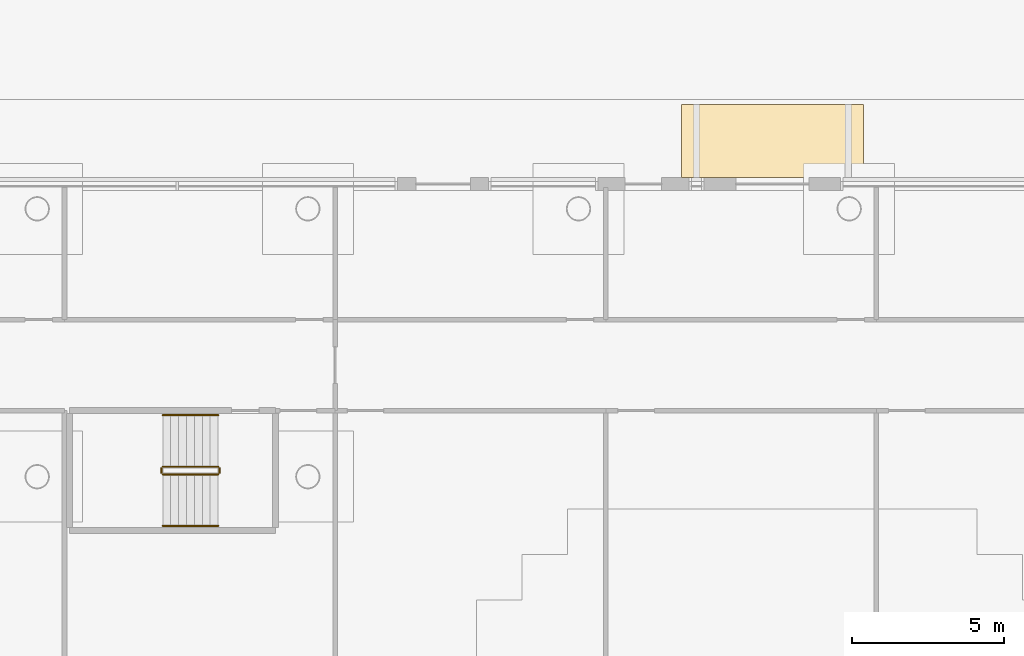
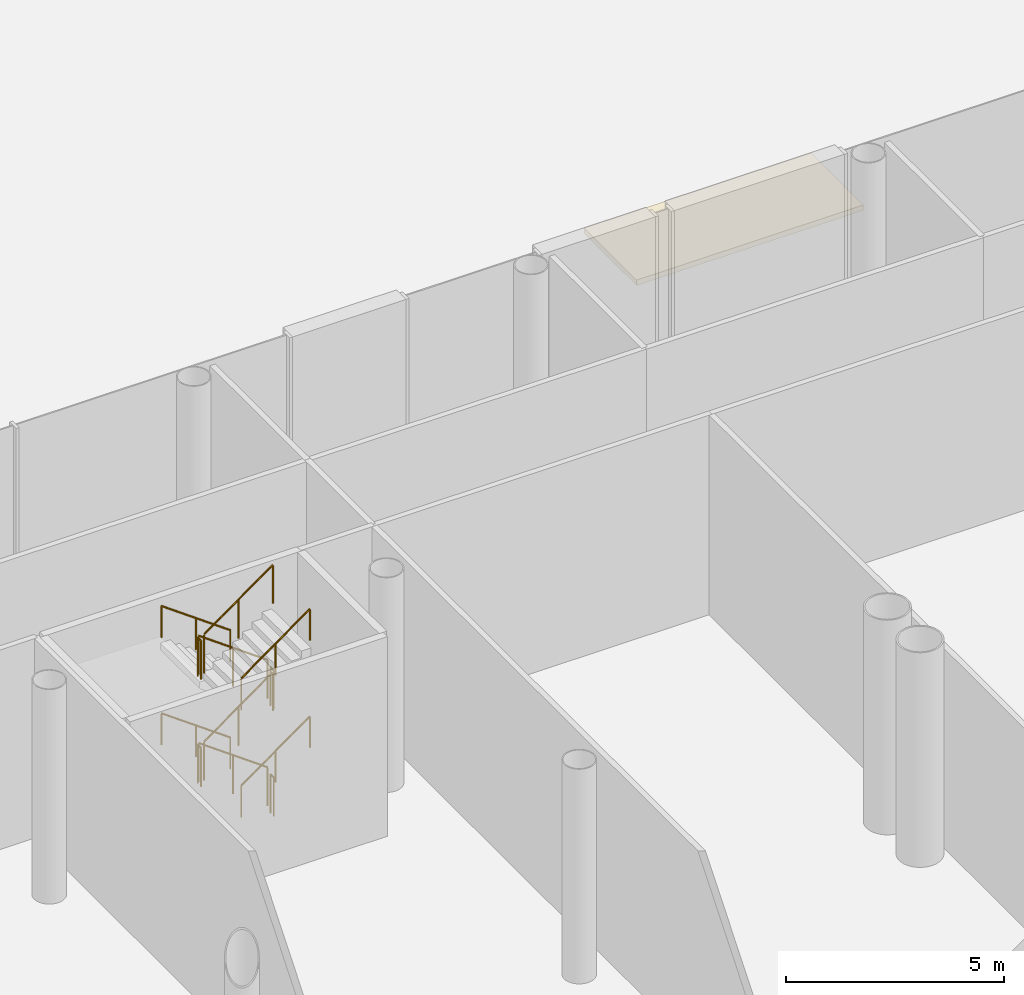
# One storey, part 70 of 75: 12 railings, 1 covering.
"""IFC4 building model written with IfcOpenShell, lengths in metres."""

import ifcopenshell
import ifcopenshell.guid

model = None  # the IFC model being written
_history = None  # IfcOwnerHistory: only IFC2X3 demands one
_inside = {}  # id of a spatial element -> (the spatial element, [elements in it])
_under = {}  # id of a project, library or spatial element -> (it, [spatial elements below it])
_declared = {}  # id of a project -> (the project, [libraries it declares])
_typed = {}  # id of a type object -> (the type object, [elements of that type])
_made_of = {}  # id of a material, layer set ... -> (it, [elements and type objects made of it])


def new_model(schema):
    """Start an empty IFC model of exactly this schema.

    Asked for "IFC4X3", IfcOpenShell would pick the latest addendum, in which some entities
    have other attributes; the version numbers below select the first issue.
    IFC2X3 requires an IfcOwnerHistory on every rooted entity: one is made here for all.
    """
    global model, _history
    if schema == "IFC4X3":
        model = ifcopenshell.file(schema_version=(4, 3, 0, 0))
    else:
        model = ifcopenshell.file(schema=schema)
    _inside.clear()
    _under.clear()
    _declared.clear()
    _typed.clear()
    _made_of.clear()
    _history = None
    if model.schema == "IFC2X3":
        org = make("IfcOrganization", Name="unknown")
        user = make(
            "IfcPersonAndOrganization",
            ThePerson=make("IfcPerson", FamilyName="unknown"),
            TheOrganization=org,
        )
        app = make(
            "IfcApplication",
            ApplicationDeveloper=org,
            Version="unknown",
            ApplicationFullName="unknown",
            ApplicationIdentifier="unknown",
        )
        _history = make(
            "IfcOwnerHistory",
            OwningUser=user,
            OwningApplication=app,
            ChangeAction="ADDED",
            CreationDate=0,
        )
    return model


def make(cls, **values):
    """One entity of the class cls with the attributes given. An attribute that is None is left unset."""
    return model.create_entity(
        cls, **{name: value for name, value in values.items() if value is not None}
    )


def rooted(cls, **values):
    """An entity with a GlobalId (a new one), such as an element, a storey or a relation."""
    return make(cls, GlobalId=ifcopenshell.guid.new(), OwnerHistory=_history, **values)


def si_unit(unit_type, name, prefix=None):
    """IfcSIUnit, for example si_unit("LENGTHUNIT", "METRE", prefix="MILLI")."""
    return make("IfcSIUnit", UnitType=unit_type, Prefix=prefix, Name=name)


def assignment(units):
    """IfcUnitAssignment: the units of a project."""
    return None if units is None else make("IfcUnitAssignment", Units=units)


def point(xyz):
    """IfcCartesianPoint."""
    return None if xyz is None else make("IfcCartesianPoint", Coordinates=xyz)


def direction(xyz):
    """IfcDirection."""
    return None if xyz is None else make("IfcDirection", DirectionRatios=xyz)


def frame(location, z_axis=None, x_axis=None):
    """IfcAxis2Placement3D, a coordinate frame: its origin and axes. An axis left out is left unset."""
    return make(
        "IfcAxis2Placement3D",
        Location=point(location),
        Axis=direction(z_axis),
        RefDirection=direction(x_axis),
    )


def frame_2d(location, x_axis=None):
    """IfcAxis2Placement2D, a coordinate frame in the plane: its origin and x axis."""
    return make(
        "IfcAxis2Placement2D", Location=point(location), RefDirection=direction(x_axis)
    )


def origin():
    """The frame at (0, 0, 0) with its axes left unset."""
    return frame((0.0, 0.0, 0.0))


def origin_2d():
    """The frame at (0, 0) in the plane with its x axis left unset."""
    return frame_2d((0.0, 0.0))


def place(relative_to, where):
    """IfcLocalPlacement: puts the frame where relative to a parent placement (None: the world)."""
    return make(
        "IfcLocalPlacement", PlacementRelTo=relative_to, RelativePlacement=where
    )


def context(
    kind, dimensions, precision=None, world=None, true_north=None, identifier=None
):
    """IfcGeometricRepresentationContext, for example the 3D "Model" context."""
    return make(
        "IfcGeometricRepresentationContext",
        ContextIdentifier=identifier,
        ContextType=kind,
        CoordinateSpaceDimension=dimensions,
        Precision=precision,
        WorldCoordinateSystem=world,
        TrueNorth=true_north,
    )


def subcontext(parent, identifier, kind, view, scale=None):
    """IfcGeometricRepresentationSubContext, for example "Body" below "Model"."""
    return make(
        "IfcGeometricRepresentationSubContext",
        ContextIdentifier=identifier,
        ContextType=kind,
        ParentContext=parent,
        TargetScale=scale,
        TargetView=view,
    )


def project(units=None, contexts=None):
    """IfcProject with its units and contexts."""
    return rooted(
        "IfcProject",
        Name="project",
        RepresentationContexts=contexts,
        UnitsInContext=assignment(units),
    )


def spatial(cls, under=None, at=None, **own):
    """A site, building, storey or space (cls), placed at a placement, below another one or the project."""
    s = rooted(cls, ObjectPlacement=at, **own)
    if under is not None:
        _under.setdefault(under.id(), (under, []))[1].append(s)
    return s


def polyline(points):
    """IfcPolyline through the points."""
    return make("IfcPolyline", Points=[point(p) for p in points])


def profile(cls, at=None, kind="AREA", **sizes):
    """A parametric profile (cls). Its sizes go by their IFC names, for example OverallWidth=200.0."""
    return make(cls, ProfileType=kind, Position=at, **sizes)


def circle(**sizes):
    """IfcCircleProfileDef."""
    return profile("IfcCircleProfileDef", **sizes)


def outline(outer, holes=None, kind="AREA"):
    """IfcArbitraryClosedProfileDef: a profile drawn as a closed curve; with holes, ...WithVoids."""
    if holes is None:
        return make("IfcArbitraryClosedProfileDef", ProfileType=kind, OuterCurve=outer)
    return make(
        "IfcArbitraryProfileDefWithVoids",
        ProfileType=kind,
        OuterCurve=outer,
        InnerCurves=holes,
    )


def extrude(swept, where, along, depth):
    """IfcExtrudedAreaSolid: the profile swept, set in the frame where, extruded along a direction by depth."""
    return make(
        "IfcExtrudedAreaSolid",
        SweptArea=swept,
        Position=where,
        ExtrudedDirection=direction(along),
        Depth=depth,
    )


def shape(context_of_items, identifier, shape_type, items):
    """IfcShapeRepresentation: the items that make up one representation, for example the "Body"."""
    return make(
        "IfcShapeRepresentation",
        ContextOfItems=context_of_items,
        RepresentationIdentifier=identifier,
        RepresentationType=shape_type,
        Items=items,
    )


def material(Name=None, Category=None):
    """IfcMaterial."""
    return make("IfcMaterial", Name=Name, Category=Category)


def layer(
    of_material, thickness, ventilated=None, Name=None, Category=None, Priority=None
):
    """IfcMaterialLayer: one layer of a wall or slab, of a material (None: an air gap)."""
    return make(
        "IfcMaterialLayer",
        Material=of_material,
        LayerThickness=thickness,
        IsVentilated=ventilated,
        Name=Name,
        Category=Category,
        Priority=Priority,
    )


def layer_set(layers, Name=None):
    """IfcMaterialLayerSet."""
    return make("IfcMaterialLayerSet", MaterialLayers=layers, LayerSetName=Name)


def made_of(thing, what):
    """Note that an element or type object is made of a material, layer set ...; save() writes the relation."""
    if what is not None:
        _made_of.setdefault(what.id(), (what, []))[1].append(thing)
    return thing


def type_object(cls, material=None, **own):
    """A type object (cls), such as IfcWallType, which elements share."""
    return made_of(rooted(cls, **own), material)


def element(
    cls,
    number,
    at=None,
    inside=None,
    cuts=None,
    type_object=None,
    material=None,
    context=None,
    identifier="Body",
    shape_type=None,
    held_by="IfcProductDefinitionShape",
    body=None,
    shapes=None,
    **own,
):
    """One element of the class cls, such as IfcWall. Its Tag is "e" and its number.

    at: its placement. inside: the storey or other place that contains it. cuts: it is an
    opening in that element (IfcRelVoidsElement). A single representation is given by context,
    identifier, shape_type and body (its items); several are given by shapes. held_by: the class
    of the entity that holds the representations. save() writes the other relations.
    """
    e = rooted(cls, Tag="e%d" % number, ObjectPlacement=at, **own)
    if body is not None:
        shapes = [shape(context, identifier, shape_type, body)]
    if shapes is not None:
        e.Representation = make(held_by, Representations=shapes)
    if inside is not None:
        _inside.setdefault(inside.id(), (inside, []))[1].append(e)
    if cuts is not None:
        rooted(
            "IfcRelVoidsElement", RelatingBuildingElement=cuts, RelatedOpeningElement=e
        )
    if type_object is not None:
        _typed.setdefault(type_object.id(), (type_object, []))[1].append(e)
    return made_of(e, material)


def aggregate(whole, parts):
    """IfcRelAggregates: a whole, such as a stair, and the parts it consists of."""
    return rooted("IfcRelAggregates", RelatingObject=whole, RelatedObjects=parts)


def save(model, path):
    """Write the relations noted so far, then the file.

    IfcRelAggregates (storeys below a building ...), IfcRelContainedInSpatialStructure (elements
    in a storey), IfcRelDefinesByType, IfcRelAssociatesMaterial and IfcRelDeclares: one each for
    every whole, place, type object, material and project.
    """
    for whole, parts in _under.values():
        aggregate(whole, parts)
    for where, things in _inside.values():
        rooted(
            "IfcRelContainedInSpatialStructure",
            RelatedElements=things,
            RelatingStructure=where,
        )
    for kind, things in _typed.values():
        rooted("IfcRelDefinesByType", RelatedObjects=things, RelatingType=kind)
    for what, things in _made_of.values():
        rooted("IfcRelAssociatesMaterial", RelatedObjects=things, RelatingMaterial=what)
    for by, libraries in _declared.values():
        rooted("IfcRelDeclares", RelatingContext=by, RelatedDefinitions=libraries)
    model.write(path)


model = new_model("IFC4")

# Units and contexts
model_context = context("Model", 3, precision=1e-05, world=origin(), true_north=direction((0.0, 1.0)))
body_context = subcontext(model_context, "Body", "Model", "MODEL_VIEW")
ifc_project = project(units=[si_unit("LENGTHUNIT", "METRE"), si_unit("AREAUNIT", "SQUARE_METRE"), si_unit("VOLUMEUNIT", "CUBIC_METRE"), si_unit("PLANEANGLEUNIT", "RADIAN"), si_unit("MASSUNIT", "GRAM", prefix="KILO")], contexts=[model_context])

# Site, building, storey
site_placement = place(None, origin())
site = spatial("IfcSite", under=ifc_project, at=site_placement, CompositionType="ELEMENT")
building_placement = place(site_placement, origin())
building = spatial("IfcBuilding", under=site, at=building_placement, Name="Ipe Terrace Towers", CompositionType="ELEMENT")
storey_placement = place(building_placement, origin())
storey = spatial("IfcBuildingStorey", under=building, at=storey_placement, Name="L00", CompositionType="ELEMENT", Elevation=0.0)

# Covering
ifc_material_1 = material(Name="Steel S355 framed laminated glass canopy", Category="steel")
ifc_layer = layer(ifc_material_1, 0.14990234375)
ifc_layer_set = layer_set([ifc_layer], Name="ENTRANCE CANOPY 150")
covering_type = type_object("IfcCoveringType", Name="ENTRANCE CANOPY 150", PredefinedType="USERDEFINED", material=ifc_layer_set)
covering_placement = place(storey_placement, frame((0.0, 0.0, 3.60009765625)))
element("IfcCovering", 1, at=covering_placement, inside=storey, type_object=covering_type, Name="entrance canopy", ObjectType="CANOPY", PredefinedType="USERDEFINED", context=body_context, shape_type="SweptSolid", body=[
    extrude(outline(polyline([(-39.0, 34.18994140625), (-33.0, 34.18994140625), (-33.0, 36.590087890625), (-39.0, 36.590087890625), (-39.0, 34.18994140625)])), origin(), (0.0, 0.0, 1.0), 0.14990234375),
])

# Railings
ifc_material_2 = material(Name="Steel S355", Category="steel")
railing_type_1 = type_object("IfcRailingType", Name="Stair guard 1100", PredefinedType="GUARDRAIL", material=ifc_material_2)
railing_1_placement = place(storey_placement, frame((-54.27001953125, 24.64990234375, 0.1875)))
element("IfcRailing", 2, at=railing_1_placement, inside=storey, type_object=railing_type_1, Name="L00 PS1 stair guard 1", PredefinedType="GUARDRAIL", context=body_context, shape_type="SweptSolid", body=[
    extrude(circle(Radius=0.02392578125, at=origin_2d()), frame((0.0, 0.0, 1.076171875), z_axis=(-0.811100754333, 0.0, 0.584906459462), x_axis=(0.0, -1.0, 0.0)), (0.0, 0.0, 1.0), 2.243896484375),
    extrude(circle(Radius=0.02099609375, at=origin_2d()), origin(), (0.0, 0.0, 1.0), 1.052001953125),
    extrude(circle(Radius=0.02099609375, at=origin_2d()), frame((-0.91015625, 0.0, 0.65625)), (0.0, 0.0, 1.0), 1.052001953125),
    extrude(circle(Radius=0.02099609375, at=origin_2d()), frame((-1.820068359375, 0.0, 1.3125)), (0.0, 0.0, 1.0), 1.052001953125),
])
railing_2_placement = place(storey_placement, frame((-56.139892578125, 24.60009765625, 1.5)))
element("IfcRailing", 3, at=railing_2_placement, inside=storey, type_object=railing_type_1, Name="L00 PS1 stair guard 2", PredefinedType="GUARDRAIL", context=body_context, shape_type="SweptSolid", body=[
    extrude(circle(Radius=0.02392578125, at=origin_2d()), frame((0.0, 0.0, 1.076171875), z_axis=(0.0, -1.0, 0.0), x_axis=(1.0, 0.0, 0.0)), (0.0, 0.0, 1.0), 0.150146484375),
    extrude(circle(Radius=0.02099609375, at=origin_2d()), origin(), (0.0, 0.0, 1.0), 1.052001953125),
    extrude(circle(Radius=0.02099609375, at=origin_2d()), frame((0.0, -0.150146484375, 0.0)), (0.0, 0.0, 1.0), 1.052001953125),
])
railing_3_placement = place(storey_placement, frame((-56.090087890625, 24.39990234375, 1.6875)))
element("IfcRailing", 4, at=railing_3_placement, inside=storey, type_object=railing_type_1, Name="L00 PS1 stair guard 3", PredefinedType="GUARDRAIL", context=body_context, shape_type="SweptSolid", body=[
    extrude(circle(Radius=0.02392578125, at=origin_2d()), frame((0.0, 0.0, 1.076171875), z_axis=(0.811100754333, 0.0, 0.584906459462), x_axis=(0.0, 1.0, 0.0)), (0.0, 0.0, 1.0), 2.243896484375),
    extrude(circle(Radius=0.02099609375, at=origin_2d()), origin(), (0.0, 0.0, 1.0), 1.052001953125),
    extrude(circle(Radius=0.02099609375, at=origin_2d()), frame((0.91015625, 0.0, 0.65625)), (0.0, 0.0, 1.0), 1.052001953125),
    extrude(circle(Radius=0.02099609375, at=origin_2d()), frame((1.820068359375, 0.0, 1.3125)), (0.0, 0.0, 1.0), 1.052001953125),
])
railing_4_placement = place(storey_placement, frame((-54.219970703125, 24.60009765625, 3.0)))
element("IfcRailing", 5, at=railing_4_placement, inside=storey, type_object=railing_type_1, Name="L00 PS1 stair guard 4", PredefinedType="GUARDRAIL", context=body_context, shape_type="SweptSolid", body=[
    extrude(circle(Radius=0.02392578125, at=origin_2d()), frame((0.0, 0.0, 1.076171875), z_axis=(0.0, -1.0, 0.0), x_axis=(1.0, 0.0, 0.0)), (0.0, 0.0, 1.0), 0.150146484375),
    extrude(circle(Radius=0.02099609375, at=origin_2d()), origin(), (0.0, 0.0, 1.0), 1.052001953125),
    extrude(circle(Radius=0.02099609375, at=origin_2d()), frame((0.0, -0.150146484375, 0.0)), (0.0, 0.0, 1.0), 1.052001953125),
])
railing_5_placement = place(storey_placement, frame((-54.27001953125, 24.64990234375, 3.1875)))
element("IfcRailing", 6, at=railing_5_placement, inside=storey, type_object=railing_type_1, Name="L00 PS1 stair guard 5", PredefinedType="GUARDRAIL", context=body_context, shape_type="SweptSolid", body=[
    extrude(circle(Radius=0.02392578125, at=origin_2d()), frame((0.0, 0.0, 1.076171875), z_axis=(-0.811100754333, 0.0, 0.584906459462), x_axis=(0.0, -1.0, 0.0)), (0.0, 0.0, 1.0), 2.243896484375),
    extrude(circle(Radius=0.02099609375, at=origin_2d()), origin(), (0.0, 0.0, 1.0), 1.052001953125),
    extrude(circle(Radius=0.02099609375, at=origin_2d()), frame((-0.91015625, 0.0, 0.65625)), (0.0, 0.0, 1.0), 1.052001953125),
    extrude(circle(Radius=0.02099609375, at=origin_2d()), frame((-1.820068359375, 0.0, 1.3125)), (0.0, 0.0, 1.0), 1.052001953125),
])
railing_6_placement = place(storey_placement, frame((-56.139892578125, 24.60009765625, 4.5)))
element("IfcRailing", 7, at=railing_6_placement, inside=storey, type_object=railing_type_1, Name="L00 PS1 stair guard 6", PredefinedType="GUARDRAIL", context=body_context, shape_type="SweptSolid", body=[
    extrude(circle(Radius=0.02392578125, at=origin_2d()), frame((0.0, 0.0, 1.076171875), z_axis=(0.0, -1.0, 0.0), x_axis=(1.0, 0.0, 0.0)), (0.0, 0.0, 1.0), 0.150146484375),
    extrude(circle(Radius=0.02099609375, at=origin_2d()), origin(), (0.0, 0.0, 1.0), 1.052001953125),
    extrude(circle(Radius=0.02099609375, at=origin_2d()), frame((0.0, -0.150146484375, 0.0)), (0.0, 0.0, 1.0), 1.052001953125),
])
railing_7_placement = place(storey_placement, frame((-56.090087890625, 24.39990234375, 4.6875)))
element("IfcRailing", 8, at=railing_7_placement, inside=storey, type_object=railing_type_1, Name="L00 PS1 stair guard 7", PredefinedType="GUARDRAIL", context=body_context, shape_type="SweptSolid", body=[
    extrude(circle(Radius=0.02392578125, at=origin_2d()), frame((0.0, 0.0, 1.076171875), z_axis=(0.811100754333, 0.0, 0.584906459462), x_axis=(0.0, 1.0, 0.0)), (0.0, 0.0, 1.0), 2.243896484375),
    extrude(circle(Radius=0.02099609375, at=origin_2d()), origin(), (0.0, 0.0, 1.0), 1.052001953125),
    extrude(circle(Radius=0.02099609375, at=origin_2d()), frame((0.91015625, 0.0, 0.65625)), (0.0, 0.0, 1.0), 1.052001953125),
    extrude(circle(Radius=0.02099609375, at=origin_2d()), frame((1.820068359375, 0.0, 1.3125)), (0.0, 0.0, 1.0), 1.052001953125),
])
railing_8_placement = place(storey_placement, frame((-54.219970703125, 24.60009765625, 0.0)))
element("IfcRailing", 9, at=railing_8_placement, inside=storey, type_object=railing_type_1, Name="L00 PS1 stair guard 8", PredefinedType="GUARDRAIL", context=body_context, shape_type="SweptSolid", body=[
    extrude(circle(Radius=0.02392578125, at=origin_2d()), frame((0.0, 0.0, 1.076171875), z_axis=(0.0, -1.0, 0.0), x_axis=(1.0, 0.0, 0.0)), (0.0, 0.0, 1.0), 0.150146484375),
    extrude(circle(Radius=0.02099609375, at=origin_2d()), origin(), (0.0, 0.0, 1.0), 1.052001953125),
    extrude(circle(Radius=0.02099609375, at=origin_2d()), frame((0.0, -0.150146484375, 0.0)), (0.0, 0.0, 1.0), 1.052001953125),
])
ifc_material_3 = material(Name="Stainless steel grade 304", Category="steel")
railing_type_2 = type_object("IfcRailingType", Name="Stair handrail 900", PredefinedType="HANDRAIL", material=ifc_material_3)
railing_9_placement = place(storey_placement, frame((-54.27001953125, 26.35009765625, 0.1875)))
element("IfcRailing", 10, at=railing_9_placement, inside=storey, type_object=railing_type_2, Name="L00 PS1 stair handrail 1", PredefinedType="HANDRAIL", context=body_context, shape_type="SweptSolid", body=[
    extrude(circle(Radius=0.02392578125, at=origin_2d()), frame((0.0, 0.0, 0.8759765625), z_axis=(-0.811100754333, 0.0, 0.584906459462), x_axis=(0.0, -1.0, 0.0)), (0.0, 0.0, 1.0), 2.243896484375),
    extrude(circle(Radius=0.02099609375, at=origin_2d()), origin(), (0.0, 0.0, 1.0), 0.851806640625),
    extrude(circle(Radius=0.02099609375, at=origin_2d()), frame((-0.91015625, 0.0, 0.65625)), (0.0, 0.0, 1.0), 0.851806640625),
    extrude(circle(Radius=0.02099609375, at=origin_2d()), frame((-1.820068359375, 0.0, 1.3125)), (0.0, 0.0, 1.0), 0.851806640625),
])
railing_10_placement = place(storey_placement, frame((-56.090087890625, 22.699951171875, 1.6875)))
element("IfcRailing", 11, at=railing_10_placement, inside=storey, type_object=railing_type_2, Name="L00 PS1 stair handrail 2", PredefinedType="HANDRAIL", context=body_context, shape_type="SweptSolid", body=[
    extrude(circle(Radius=0.02392578125, at=origin_2d()), frame((0.0, 0.0, 0.8759765625), z_axis=(0.811100754333, 0.0, 0.584906459462), x_axis=(0.0, 1.0, 0.0)), (0.0, 0.0, 1.0), 2.243896484375),
    extrude(circle(Radius=0.02099609375, at=origin_2d()), origin(), (0.0, 0.0, 1.0), 0.851806640625),
    extrude(circle(Radius=0.02099609375, at=origin_2d()), frame((0.91015625, 0.0, 0.65625)), (0.0, 0.0, 1.0), 0.851806640625),
    extrude(circle(Radius=0.02099609375, at=origin_2d()), frame((1.820068359375, 0.0, 1.3125)), (0.0, 0.0, 1.0), 0.851806640625),
])
railing_11_placement = place(storey_placement, frame((-54.27001953125, 26.35009765625, 3.1875)))
element("IfcRailing", 12, at=railing_11_placement, inside=storey, type_object=railing_type_2, Name="L00 PS1 stair handrail 3", PredefinedType="HANDRAIL", context=body_context, shape_type="SweptSolid", body=[
    extrude(circle(Radius=0.02392578125, at=origin_2d()), frame((0.0, 0.0, 0.8759765625), z_axis=(-0.811100754333, 0.0, 0.584906459462), x_axis=(0.0, -1.0, 0.0)), (0.0, 0.0, 1.0), 2.243896484375),
    extrude(circle(Radius=0.02099609375, at=origin_2d()), origin(), (0.0, 0.0, 1.0), 0.851806640625),
    extrude(circle(Radius=0.02099609375, at=origin_2d()), frame((-0.91015625, 0.0, 0.65625)), (0.0, 0.0, 1.0), 0.851806640625),
    extrude(circle(Radius=0.02099609375, at=origin_2d()), frame((-1.820068359375, 0.0, 1.3125)), (0.0, 0.0, 1.0), 0.851806640625),
])
railing_12_placement = place(storey_placement, frame((-56.090087890625, 22.699951171875, 4.6875)))
element("IfcRailing", 13, at=railing_12_placement, inside=storey, type_object=railing_type_2, Name="L00 PS1 stair handrail 4", PredefinedType="HANDRAIL", context=body_context, shape_type="SweptSolid", body=[
    extrude(circle(Radius=0.02392578125, at=origin_2d()), frame((0.0, 0.0, 0.8759765625), z_axis=(0.811100754333, 0.0, 0.584906459462), x_axis=(0.0, 1.0, 0.0)), (0.0, 0.0, 1.0), 2.243896484375),
    extrude(circle(Radius=0.02099609375, at=origin_2d()), origin(), (0.0, 0.0, 1.0), 0.851806640625),
    extrude(circle(Radius=0.02099609375, at=origin_2d()), frame((0.91015625, 0.0, 0.65625)), (0.0, 0.0, 1.0), 0.851806640625),
    extrude(circle(Radius=0.02099609375, at=origin_2d()), frame((1.820068359375, 0.0, 1.3125)), (0.0, 0.0, 1.0), 0.851806640625),
])

save(model, "model.ifc")
